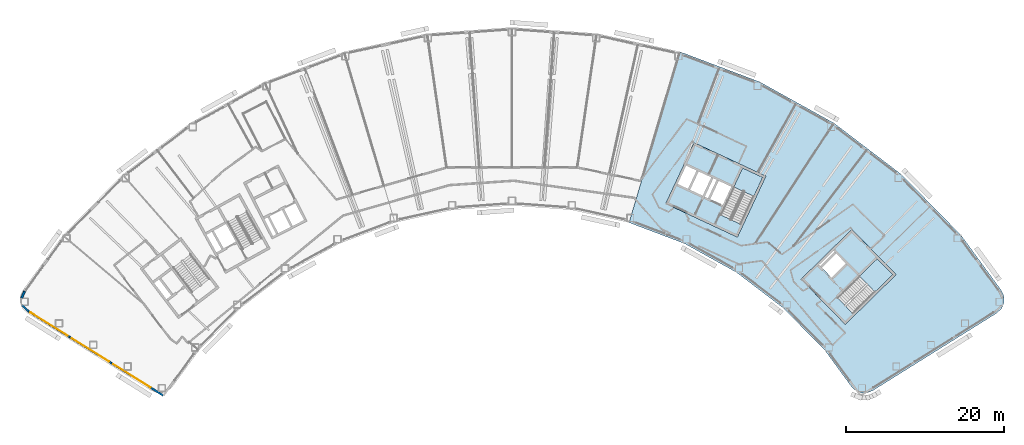
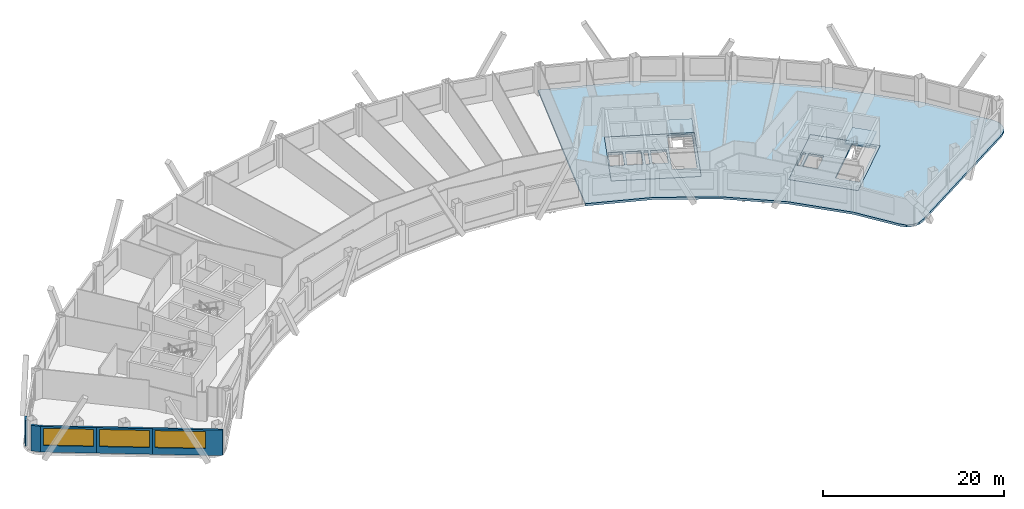
# One storey, part 4 of 14: 5 slabs, 5 walls, 3 windows, 3 openings, 2 elements without a shape of their own.
"""IFC4 building model written with IfcOpenShell, lengths in metres."""

from ifc_helpers import new_model, si_unit, direction, frame, frame_2d, origin, place, context, subcontext, project, spatial, polyline, rectangle, outline, extrude, material, layer, layer_set, type_object, element, fill, aggregate, save


model = new_model("IFC4")

# Units and contexts
model_context = context("Model", 3, precision=1e-05, world=origin(), true_north=direction((0.0, 1.0)))
body_context = subcontext(model_context, "Body", "Model", "MODEL_VIEW")
ifc_project = project(units=[si_unit("LENGTHUNIT", "METRE"), si_unit("AREAUNIT", "SQUARE_METRE"), si_unit("VOLUMEUNIT", "CUBIC_METRE"), si_unit("PLANEANGLEUNIT", "RADIAN"), si_unit("MASSUNIT", "GRAM", prefix="KILO")], contexts=[model_context])

# Site, building, storey
site_placement = place(None, origin())
site = spatial("IfcSite", under=ifc_project, at=site_placement, CompositionType="ELEMENT")
building_placement = place(site_placement, origin())
building = spatial("IfcBuilding", under=site, at=building_placement, Name="Tuul Gate Civic Tower", CompositionType="ELEMENT")
storey_placement = place(building_placement, frame((0.0, 0.0, 209.5)))
storey = spatial("IfcBuildingStorey", under=building, at=storey_placement, Name="Level 47", CompositionType="ELEMENT", Elevation=209.5)

# Slabs
ifc_material_1 = material(Name="Concrete C40/50", Category="concrete")
ifc_layer_1 = layer(ifc_material_1, 0.300048828125)
ifc_layer_set_1 = layer_set([ifc_layer_1], Name="Concrete C40/50")
slab_type_1 = type_object("IfcSlabType", Name="Core floor slab 300", PredefinedType="FLOOR", material=ifc_layer_set_1)
slab_1_placement = place(storey_placement, frame((0.0, 0.0, -0.300048828125)))
element("IfcSlab", 1, at=slab_1_placement, inside=storey, type_object=slab_type_1, Name="FLOOR SLAB", PredefinedType="FLOOR", context=body_context, shape_type="SweptSolid", body=[
    extrude(outline(polyline([(48.117919921875, -18.43310546875), (54.545166015625, -12.1328125), (48.945068359375, -6.419921875), (42.517822265625, -12.719970703125), (48.117919921875, -18.43310546875)]), holes=[polyline([(46.373779296875, -12.510986328125), (48.19482421875, -10.725830078125), (46.969970703125, -9.47607421875), (45.14892578125, -11.26123046875), (46.373779296875, -12.510986328125)]), polyline([(44.93896484375, -11.046875), (46.760009765625, -9.261962890625), (46.514892578125, -9.011962890625), (44.69384765625, -10.797119140625), (44.93896484375, -11.046875)]), polyline([(49.086181640625, -17.062744140625), (47.12744140625, -15.064208984375), (52.160888671875, -10.130126953125), (54.11962890625, -12.128662109375), (49.086181640625, -17.062744140625)])]), origin(), (0.0, 0.0, 1.0), 0.300048828125),
])
slab_2_placement = place(storey_placement, frame((0.0, 0.0, -0.300048828125)))
element("IfcSlab", 2, at=slab_2_placement, inside=storey, type_object=slab_type_1, Name="FLOOR SLAB", PredefinedType="FLOOR", context=body_context, shape_type="SweptSolid", body=[
    extrude(outline(polyline([(34.465087890625, -7.385986328125), (38.056884765625, 0.31787109375), (28.993896484375, 4.543701171875), (25.40185546875, -3.159912109375), (34.465087890625, -7.385986328125)]), holes=[polyline([(32.60888671875, -3.32080078125), (33.6865234375, -1.009765625), (32.1005859375, -0.27001953125), (31.02294921875, -2.581298828125), (32.60888671875, -3.32080078125)]), polyline([(30.0712890625, -2.137451171875), (31.14892578125, 0.173583984375), (29.562744140625, 0.9130859375), (28.4853515625, -1.39794921875), (30.0712890625, -2.137451171875)]), polyline([(30.751220703125, -2.454345703125), (31.82861328125, -0.143310546875), (31.4208984375, 0.046875), (30.34326171875, -2.264404296875), (30.751220703125, -2.454345703125)]), polyline([(28.21337890625, -1.27099609375), (29.291015625, 1.0400390625), (27.8408203125, 1.71630859375), (26.76318359375, -0.594970703125), (28.21337890625, -1.27099609375)]), polyline([(34.889892578125, -5.7626953125), (32.353759765625, -4.580078125), (35.120849609375, 1.354736328125), (37.6572265625, 0.17236328125), (34.889892578125, -5.7626953125)])]), origin(), (0.0, 0.0, 1.0), 0.300048828125),
])

# Stair, slab
ifc_material_2 = material(Name="Concrete C40/50", Category="concrete")
stair_type = type_object("IfcStairType", Name="Exit stair", PredefinedType="HALF_TURN_STAIR", material=ifc_material_2)
stair_1_placement = place(storey_placement, origin())
stair_1 = element("IfcStair", 3, at=stair_1_placement, inside=storey, type_object=stair_type, Name="Level 47 ST-3", PredefinedType="HALF_TURN_STAIR")
ifc_material_3 = material(Name="Concrete C40/50", Category="concrete")
ifc_layer_2 = layer(ifc_material_3, 0.199951171875)
ifc_layer_set_2 = layer_set([ifc_layer_2], Name="Concrete C40/50")
slab_type_2 = type_object("IfcSlabType", Name="Exit stair landing", PredefinedType="LANDING", material=ifc_layer_set_2)
slab_3_placement = place(storey_placement, frame((0.0, 0.0, 1.89990234375)))
slab_3 = element("IfcSlab", 4, at=slab_3_placement, type_object=slab_type_2, Name="ST-3 landing 1", PredefinedType="LANDING", context=body_context, shape_type="SweptSolid", body=[
    extrude(outline(polyline([(51.871337890625, -14.3349609375), (49.91015625, -12.334228515625), (52.160888671875, -10.1279296875), (54.1220703125, -12.128662109375), (51.871337890625, -14.3349609375)])), origin(), (0.0, 0.0, 1.0), 0.2001953125),
])
aggregate(stair_1, [slab_3])

stair_2_placement = place(storey_placement, origin())
stair_2 = element("IfcStair", 5, at=stair_2_placement, inside=storey, type_object=stair_type, Name="Level 47 ST-4", PredefinedType="HALF_TURN_STAIR")
slab_4_placement = place(storey_placement, frame((0.0, 0.0, 1.89990234375)))
slab_4 = element("IfcSlab", 6, at=slab_4_placement, type_object=slab_type_2, Name="ST-4 landing 1", PredefinedType="LANDING", context=body_context, shape_type="SweptSolid", body=[
    extrude(outline(polyline([(36.538818359375, -2.230224609375), (33.999755859375, -1.046142578125), (35.1201171875, 1.35693359375), (37.659423828125, 0.173095703125), (36.538818359375, -2.230224609375)])), origin(), (0.0, 0.0, 1.0), 0.2001953125),
])
aggregate(stair_2, [slab_4])

# Slab
ifc_material_4 = material(Name="Concrete C35/45", Category="concrete")
ifc_layer_3 = layer(ifc_material_4, 0.300048828125)
ifc_layer_set_3 = layer_set([ifc_layer_3], Name="Concrete C35/45")
slab_type_3 = type_object("IfcSlabType", Name="STR-FLOOR-SLAB-300", PredefinedType="FLOOR", material=ifc_layer_set_3)
slab_5_placement = place(storey_placement, frame((0.0, 0.0, -0.300048828125)))
element("IfcSlab", 7, at=slab_5_placement, inside=storey, type_object=slab_type_3, Name="Level 47/slab/E", PredefinedType="FLOOR", context=body_context, shape_type="SweptSolid", body=[
    extrude(outline(polyline([(50.8720703125, -27.093017578125), (51.56591796875, -26.822998046875), (67.2958984375, -16.992919921875), (67.885009765625, -16.428955078125), (68.199951171875, -15.677001953125), (68.18798828125, -14.861083984375), (67.85107421875, -14.117919921875), (62.77099609375, -7.160888671875), (55.235107421875, 0.52587890625), (46.6708984375, 7.0458984375), (37.256103515625, 12.264892578125), (27.18798828125, 16.072998046875), (20.75390625, -5.549072265625), (27.77294921875, -8.2041015625), (34.3369140625, -11.842041015625), (40.30810546875, -16.388916015625), (45.56201171875, -21.748046875), (48.89111328125, -26.305908203125), (49.43505859375, -26.81494140625), (50.126953125, -27.090087890625), (50.8720703125, -27.093017578125)]), holes=[polyline([(48.117919921875, -18.43310546875), (42.51806640625, -12.719970703125), (48.945068359375, -6.419921875), (54.544921875, -12.133056640625), (48.117919921875, -18.43310546875)]), polyline([(25.402099609375, -3.159912109375), (28.993896484375, 4.5439453125), (38.056884765625, 0.318115234375), (34.465087890625, -7.385986328125), (25.402099609375, -3.159912109375)])]), origin(), (0.0, 0.0, 1.0), 0.300048828125),
])

# Walls
ifc_material_5 = material(Name="Precast concrete C40/50", Category="concrete")
ifc_layer_4 = layer(ifc_material_5, 0.25)
ifc_layer_set_4 = layer_set([ifc_layer_4], Name="Precast concrete C40/50")
wall_type = type_object("IfcWallType", Name="External wall", PredefinedType="STANDARD", material=ifc_layer_set_4)
wall_1_placement = place(storey_placement, frame((-55.737060546875, -14.257568359375, 0.0), z_axis=(0.0, 0.0, 1.0), x_axis=(-0.411921142617, -0.911219497303, 0.0)))
element("IfcWall", 8, at=wall_1_placement, inside=storey, type_object=wall_type, Name="External wall", PredefinedType="STANDARD", context=body_context, shape_type="SweptSolid", body=[
    extrude(rectangle(XDim=0.938720703125, YDim=0.25, at=frame_2d((0.46923828125, 0.0))), origin(), (0.0, 0.0, 1.0), 3.449951171875),
])
wall_2_placement = place(storey_placement, frame((-56.046875, -16.012939453125, 0.0), z_axis=(0.0, 0.0, 1.0), x_axis=(0.722218585129, -0.691664886555, 0.0)))
element("IfcWall", 9, at=wall_2_placement, inside=storey, type_object=wall_type, Name="External wall", PredefinedType="STANDARD", context=body_context, shape_type="SweptSolid", body=[
    extrude(rectangle(XDim=1.102783203125, YDim=0.25, at=frame_2d((0.55126953125, 0.0))), origin(), (0.0, 0.0, 1.0), 3.449951171875),
])

# Wall, opening, window
wall_3_placement = place(storey_placement, frame((-55.270751953125, -16.760009765625, 0.0), z_axis=(0.0, 0.0, 1.0), x_axis=(0.848053758074, -0.529910203164, 0.0)))
wall_3 = element("IfcWall", 10, at=wall_3_placement, inside=storey, type_object=wall_type, Name="External wall", PredefinedType="STANDARD", context=body_context, shape_type="SweptSolid", body=[
    extrude(rectangle(XDim=6.182861328125, YDim=0.25, at=frame_2d((3.09130859375, 0.0))), origin(), (0.0, 0.0, 1.0), 3.449951171875),
])
opening_1_placement = place(wall_3_placement, frame((0.31640625, 0.0, 0.89990234375)))
opening_1 = element("IfcOpeningElement", 11, at=opening_1_placement, cuts=wall_3, Name="Opening W24", PredefinedType="OPENING", context=body_context, shape_type="SweptSolid", body=[
    extrude(rectangle(XDim=5.550048828125, YDim=2.300048828125, at=frame_2d((2.77490234375, 1.14990234375))), frame((0.0, 0.135009765625, 0.0), z_axis=(0.0, -1.0, 0.0), x_axis=(1.0, 0.0, 0.0)), (0.0, 0.0, 1.0), 0.27001953125),
])
ifc_material_6 = material(Name="Glass", Category="glass")
window_type = type_object("IfcWindowType", Name="Window W24 5550 x 2300", PartitioningType="SINGLE_PANEL", PredefinedType="WINDOW", material=ifc_material_6)
window_1_placement = place(opening_1_placement, origin())
window_1 = element("IfcWindow", 12, at=window_1_placement, inside=storey, type_object=window_type, Name="Window", OverallHeight=2.300048828125, OverallWidth=5.550048828125, PartitioningType="SINGLE_PANEL", PredefinedType="WINDOW", context=body_context, shape_type="SweptSolid", body=[
    extrude(rectangle(XDim=5.550048828125, YDim=2.300048828125, at=frame_2d((2.77490234375, 1.14990234375))), frame((0.0, 0.030029296875, 0.0), z_axis=(0.0, -1.0, 0.0), x_axis=(1.0, 0.0, 0.0)), (0.0, 0.0, 1.0), 0.06005859375),
])
fill(opening_1, window_1)

wall_4_placement = place(storey_placement, frame((-50.02734375, -20.036376953125, 0.0), z_axis=(0.0, 0.0, 1.0), x_axis=(0.848042669488, -0.529927948619, 0.0)))
wall_4 = element("IfcWall", 13, at=wall_4_placement, inside=storey, type_object=wall_type, Name="External wall", PredefinedType="STANDARD", context=body_context, shape_type="SweptSolid", body=[
    extrude(rectangle(XDim=6.1826171875, YDim=0.25, at=frame_2d((3.09130859375, 0.0))), origin(), (0.0, 0.0, 1.0), 3.449951171875),
])
opening_2_placement = place(wall_4_placement, frame((0.31640625, 0.0, 0.89990234375)))
opening_2 = element("IfcOpeningElement", 14, at=opening_2_placement, cuts=wall_4, Name="Opening W24", PredefinedType="OPENING", context=body_context, shape_type="SweptSolid", body=[
    extrude(rectangle(XDim=5.550048828125, YDim=2.300048828125, at=frame_2d((2.77490234375, 1.14990234375))), frame((0.0, 0.135009765625, 0.0), z_axis=(0.0, -1.0, 0.0), x_axis=(1.0, 0.0, 0.0)), (0.0, 0.0, 1.0), 0.27001953125),
])
window_2_placement = place(opening_2_placement, origin())
window_2 = element("IfcWindow", 15, at=window_2_placement, inside=storey, type_object=window_type, Name="Window", OverallHeight=2.300048828125, OverallWidth=5.550048828125, PartitioningType="SINGLE_PANEL", PredefinedType="WINDOW", context=body_context, shape_type="SweptSolid", body=[
    extrude(rectangle(XDim=5.550048828125, YDim=2.300048828125, at=frame_2d((2.77490234375, 1.14990234375))), frame((0.0, 0.030029296875, 0.0), z_axis=(0.0, -1.0, 0.0), x_axis=(1.0, 0.0, 0.0)), (0.0, 0.0, 1.0), 0.06005859375),
])
fill(opening_2, window_2)

wall_5_placement = place(storey_placement, frame((-44.7841796875, -23.312744140625, 0.0), z_axis=(0.0, 0.0, 1.0), x_axis=(0.848066986554, -0.529889032078, 0.0)))
wall_5 = element("IfcWall", 16, at=wall_5_placement, inside=storey, type_object=wall_type, Name="External wall", PredefinedType="STANDARD", context=body_context, shape_type="SweptSolid", body=[
    extrude(rectangle(XDim=7.787353515625, YDim=0.25, at=frame_2d((3.8935546875, 0.0))), origin(), (0.0, 0.0, 1.0), 3.449951171875),
])
opening_3_placement = place(wall_5_placement, frame((0.31640625, 0.0, 0.89990234375)))
opening_3 = element("IfcOpeningElement", 17, at=opening_3_placement, cuts=wall_5, Name="Opening W24", PredefinedType="OPENING", context=body_context, shape_type="SweptSolid", body=[
    extrude(rectangle(XDim=5.550048828125, YDim=2.300048828125, at=frame_2d((2.77490234375, 1.14990234375))), frame((0.0, 0.135009765625, 0.0), z_axis=(0.0, -1.0, 0.0), x_axis=(1.0, 0.0, 0.0)), (0.0, 0.0, 1.0), 0.27001953125),
])
window_3_placement = place(opening_3_placement, origin())
window_3 = element("IfcWindow", 18, at=window_3_placement, inside=storey, type_object=window_type, Name="Window", OverallHeight=2.300048828125, OverallWidth=5.550048828125, PartitioningType="SINGLE_PANEL", PredefinedType="WINDOW", context=body_context, shape_type="SweptSolid", body=[
    extrude(rectangle(XDim=5.550048828125, YDim=2.300048828125, at=frame_2d((2.77490234375, 1.14990234375))), frame((0.0, 0.030029296875, 0.0), z_axis=(0.0, -1.0, 0.0), x_axis=(1.0, 0.0, 0.0)), (0.0, 0.0, 1.0), 0.06005859375),
])
fill(opening_3, window_3)

save(model, "model.ifc")
